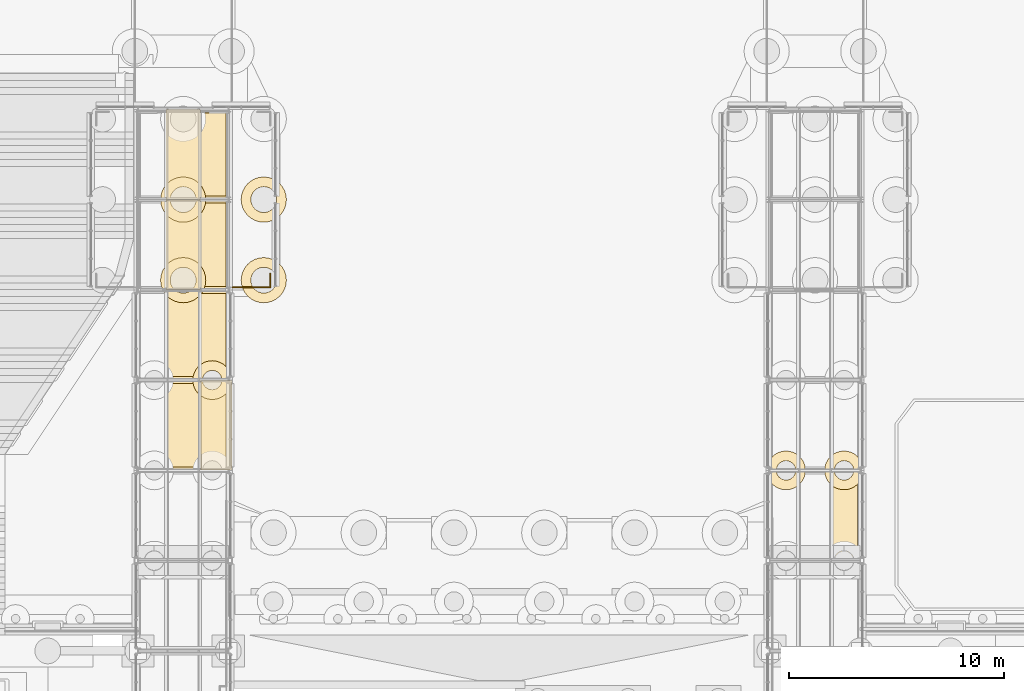
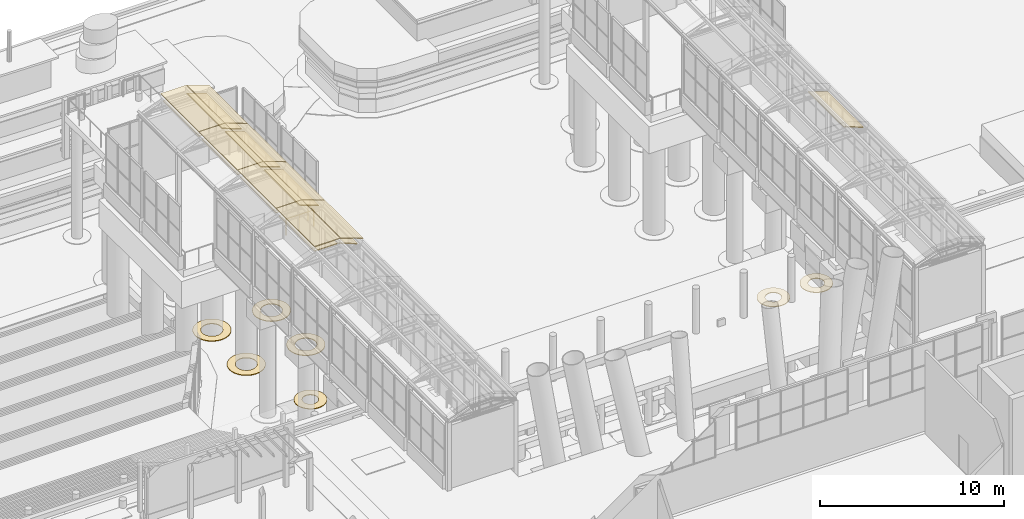
# One storey, part 188 of 222: 24 coverings, 2 railings.
"""IFC4 building model written with IfcOpenShell, lengths in metres."""

from ifc_helpers import new_model, si_unit, direction, frame, origin, origin_2d, place, context, subcontext, project, spatial, polyline, circle, outline, extrude, material, layer, layer_set, type_object, element, save


model = new_model("IFC4")

# Units and contexts
model_context = context("Model", 3, precision=1e-05, world=origin(), true_north=direction((0.0, 1.0)))
body_context = subcontext(model_context, "Body", "Model", "MODEL_VIEW")
ifc_project = project(units=[si_unit("LENGTHUNIT", "METRE"), si_unit("AREAUNIT", "SQUARE_METRE"), si_unit("VOLUMEUNIT", "CUBIC_METRE"), si_unit("PLANEANGLEUNIT", "RADIAN"), si_unit("MASSUNIT", "GRAM", prefix="KILO")], contexts=[model_context])

# Site, building, storey
site_placement = place(None, origin())
site = spatial("IfcSite", under=ifc_project, at=site_placement, CompositionType="ELEMENT")
building_placement = place(site_placement, origin())
building = spatial("IfcBuilding", under=site, at=building_placement, Name="Sava Quay Ferry Terminal", CompositionType="ELEMENT")
storey_placement = place(building_placement, origin())
storey = spatial("IfcBuildingStorey", under=building, at=storey_placement, Name="L00", CompositionType="ELEMENT", Elevation=0.0)

# Railings
ifc_material_1 = material(Name="Steel S355", Category="steel")
railing_type = type_object("IfcRailingType", Name="Edge guard 1100", PredefinedType="GUARDRAIL", material=ifc_material_1)
railing_1_placement = place(storey_placement, frame((50.60009765625, 134.52001953125, 0.0)))
element("IfcRailing", 1, at=railing_1_placement, inside=storey, type_object=railing_type, Name="Berth head south guard east", PredefinedType="GUARDRAIL", context=body_context, shape_type="SweptSolid", body=[
    extrude(circle(Radius=0.02392578125, at=origin_2d()), frame((0.0, 0.0, 1.076171875), z_axis=(1.0, 0.0, 0.0), x_axis=(0.0, 1.0, 0.0)), (0.0, 0.0, 1.0), 1.75),
    extrude(circle(Radius=0.02099609375, at=origin_2d()), origin(), (0.0, 0.0, 1.0), 1.052001953125),
    extrude(circle(Radius=0.02099609375, at=origin_2d()), frame((0.875, 0.0, 0.0)), (0.0, 0.0, 1.0), 1.052001953125),
    extrude(circle(Radius=0.02099609375, at=origin_2d()), frame((1.75, 0.0, 0.0)), (0.0, 0.0, 1.0), 1.052001953125),
])
railing_2_placement = place(storey_placement, frame((52.35009765625, 134.52001953125, 0.0)))
element("IfcRailing", 2, at=railing_2_placement, inside=storey, type_object=railing_type, Name="Berth head south-east corner guard", PredefinedType="GUARDRAIL", context=body_context, shape_type="SweptSolid", body=[
    extrude(circle(Radius=0.02392578125, at=origin_2d()), frame((0.0, 0.0, 1.076171875), z_axis=(0.0, 1.0, 0.0), x_axis=(-1.0, 0.0, 0.0)), (0.0, 0.0, 1.0), 0.6298828125),
    extrude(circle(Radius=0.02099609375, at=origin_2d()), origin(), (0.0, 0.0, 1.0), 1.052001953125),
    extrude(circle(Radius=0.02099609375, at=origin_2d()), frame((0.0, 0.6298828125, 0.0)), (0.0, 0.0, 1.0), 1.052001953125),
])

# Coverings
ifc_material_2 = material(Name="Glulam GL28h", Category="wood")
ifc_layer_1 = layer(ifc_material_2, 0.06005859375)
ifc_layer_set_1 = layer_set([ifc_layer_1], Name="Glulam GL28h")
covering_type_1 = type_object("IfcCoveringType", Name="Glulam soffit lining 60", PredefinedType="CEILING", material=ifc_layer_set_1)
covering_1_placement = place(storey_placement, frame((47.5634765625, 126.159912109375, 5.095703125), z_axis=(0.0, 0.0, 1.0), x_axis=(1.0, 0.0, 0.0)))
element("IfcCovering", 3, at=covering_1_placement, inside=storey, type_object=covering_type_1, Name="Boarding gallery B1 timber soffit lining bay 5 facet 2", PredefinedType="CEILING", context=body_context, shape_type="SweptSolid", body=[
    extrude(outline(polyline([(0.0, 0.0), (1.472900390625, 0.0), (1.472900390625, 3.880126953125), (0.0, 3.880126953125), (0.0, 0.0)])), origin(), (0.0, 0.0, -1.0), 0.06005859375),
])
covering_2_placement = place(storey_placement, frame((49.055908203125, 126.159912109375, 5.09228515625), z_axis=(0.342028329159, 0.0, 0.939689641346), x_axis=(0.939689641346, 0.0, -0.342028329159)))
element("IfcCovering", 4, at=covering_2_placement, inside=storey, type_object=covering_type_1, Name="Boarding gallery B1 timber soffit lining bay 5 facet 3", PredefinedType="CEILING", context=body_context, shape_type="SweptSolid", body=[
    extrude(outline(polyline([(0.0, 0.0), (1.3055444975084805, 0.0), (1.3055444975084805, 3.880126953125001), (0.0, 3.880126953125001), (0.0, 0.0)])), origin(), (0.0, 0.0, -1.0), 0.06005859375),
])
covering_3_placement = place(storey_placement, frame((47.5634765625, 130.360107421875, 5.095703125), z_axis=(0.0, 0.0, 1.0), x_axis=(1.0, 0.0, 0.0)))
element("IfcCovering", 5, at=covering_3_placement, inside=storey, type_object=covering_type_1, Name="Boarding gallery B1 timber soffit lining bay 6 facet 2", PredefinedType="CEILING", context=body_context, shape_type="SweptSolid", body=[
    extrude(outline(polyline([(0.0, 0.0), (1.472900390625, 0.0), (1.472900390625, 3.8798828125), (0.0, 3.8798828125), (0.0, 0.0)])), origin(), (0.0, 0.0, -1.0), 0.06005859375),
])
covering_4_placement = place(storey_placement, frame((49.055908203125, 130.360107421875, 5.09228515625), z_axis=(0.342028329159, 0.0, 0.939689641346), x_axis=(0.939689641346, 0.0, -0.342028329159)))
element("IfcCovering", 6, at=covering_4_placement, inside=storey, type_object=covering_type_1, Name="Boarding gallery B1 timber soffit lining bay 6 facet 3", PredefinedType="CEILING", context=body_context, shape_type="SweptSolid", body=[
    extrude(outline(polyline([(0.0, 0.0), (1.3055444975084805, 0.0), (1.3055444975084805, 3.8798828125), (0.0, 3.8798828125), (0.0, 0.0)])), origin(), (0.0, 0.0, -1.0), 0.06005859375),
])
covering_5_placement = place(storey_placement, frame((47.5634765625, 134.56005859375, 5.095703125), z_axis=(0.0, 0.0, 1.0), x_axis=(1.0, 0.0, 0.0)))
element("IfcCovering", 7, at=covering_5_placement, inside=storey, type_object=covering_type_1, Name="Boarding gallery B1 timber soffit lining bay 7 facet 2", PredefinedType="CEILING", context=body_context, shape_type="SweptSolid", body=[
    extrude(outline(polyline([(0.0, 0.0), (1.472900390625, 0.0), (1.472900390625, 3.8798828125), (0.0, 3.8798828125), (0.0, 0.0)])), origin(), (0.0, 0.0, -1.0), 0.06005859375),
])
covering_6_placement = place(storey_placement, frame((49.055908203125, 134.56005859375, 5.09228515625), z_axis=(0.342028329159, 0.0, 0.939689641346), x_axis=(0.939689641346, 0.0, -0.342028329159)))
element("IfcCovering", 8, at=covering_6_placement, inside=storey, type_object=covering_type_1, Name="Boarding gallery B1 timber soffit lining bay 7 facet 3", PredefinedType="CEILING", context=body_context, shape_type="SweptSolid", body=[
    extrude(outline(polyline([(0.0, 0.0), (1.3055444975084805, 0.0), (1.3055444975084805, 3.8798828125), (0.0, 3.8798828125), (0.0, 0.0)])), origin(), (0.0, 0.0, -1.0), 0.06005859375),
])
covering_7_placement = place(storey_placement, frame((47.5634765625, 138.760009765625, 5.095703125), z_axis=(0.0, 0.0, 1.0), x_axis=(1.0, 0.0, 0.0)))
element("IfcCovering", 9, at=covering_7_placement, inside=storey, type_object=covering_type_1, Name="Boarding gallery B1 timber soffit lining bay 8 facet 2", PredefinedType="CEILING", context=body_context, shape_type="SweptSolid", body=[
    extrude(outline(polyline([(0.0, 0.0), (1.472900390625, 0.0), (1.472900390625, 3.8798828125), (0.0, 3.8798828125), (0.0, 0.0)])), origin(), (0.0, 0.0, -1.0), 0.06005859375),
])
covering_8_placement = place(storey_placement, frame((49.055908203125, 138.760009765625, 5.09228515625), z_axis=(0.342028329159, 0.0, 0.939689641346), x_axis=(0.939689641346, 0.0, -0.342028329159)))
element("IfcCovering", 10, at=covering_8_placement, inside=storey, type_object=covering_type_1, Name="Boarding gallery B1 timber soffit lining bay 8 facet 3", PredefinedType="CEILING", context=body_context, shape_type="SweptSolid", body=[
    extrude(outline(polyline([(0.0, 0.0), (1.3055444975084805, 0.0), (1.3055444975084805, 3.8798828125), (0.0, 3.8798828125), (0.0, 0.0)])), origin(), (0.0, 0.0, -1.0), 0.06005859375),
])
covering_9_placement = place(storey_placement, frame((78.455810546875, 121.9599609375, 5.09228515625), z_axis=(0.341968236193, 0.0, 0.939711511814), x_axis=(0.939711511814, 0.0, -0.341968236193)))
element("IfcCovering", 11, at=covering_9_placement, inside=storey, type_object=covering_type_1, Name="Boarding gallery B2 timber soffit lining bay 4 facet 3", PredefinedType="CEILING", context=body_context, shape_type="SweptSolid", body=[
    extrude(outline(polyline([(0.0, 0.0), (1.305773916594794, 0.0), (1.305773916594794, 3.880126953125), (0.0, 3.880126953125), (0.0, 0.0)])), origin(), (0.0, 0.0, -1.0), 0.06005859375),
])
ifc_material_3 = material(Name="Water")
ifc_layer_2 = layer(ifc_material_3, 0.0400390625)
ifc_layer_set_2 = layer_set([ifc_layer_2], Name="Water")
covering_type_2 = type_object("IfcCoveringType", Name="River foam collar", PredefinedType="CLADDING", material=ifc_layer_set_2)
covering_10_placement = place(storey_placement, frame((0.0, 0.0, -8.0)))
element("IfcCovering", 12, at=covering_10_placement, inside=storey, type_object=covering_type_2, Name="River foam collar", PredefinedType="CLADDING", context=body_context, shape_type="SweptSolid", body=[
    extrude(outline(polyline([(48.81591796875, 129.85498046875), (48.89990234375, 129.698974609375), (49.011962890625, 129.56201171875), (49.14892578125, 129.449951171875), (49.304931640625, 129.365966796875), (49.47412109375, 129.31494140625), (49.64990234375, 129.298095703125), (49.825927734375, 129.31494140625), (49.9951171875, 129.365966796875), (50.15087890625, 129.449951171875), (50.2880859375, 129.56201171875), (50.39990234375, 129.698974609375), (50.48388671875, 129.85498046875), (50.534912109375, 130.02392578125), (50.552001953125, 130.199951171875), (50.534912109375, 130.3759765625), (50.48388671875, 130.544921875), (50.39990234375, 130.700927734375), (50.2880859375, 130.837890625), (50.15087890625, 130.949951171875), (49.9951171875, 131.033935546875), (49.825927734375, 131.0849609375), (49.64990234375, 131.10205078125), (49.47412109375, 131.0849609375), (49.304931640625, 131.033935546875), (49.14892578125, 130.949951171875), (49.011962890625, 130.837890625), (48.89990234375, 130.700927734375), (48.81591796875, 130.544921875), (48.764892578125, 130.3759765625), (48.748046875, 130.199951171875), (48.764892578125, 130.02392578125), (48.81591796875, 129.85498046875)]), holes=[polyline([(49.23388671875, 130.3720703125), (49.27587890625, 130.449951171875), (49.33203125, 130.51806640625), (49.39990234375, 130.573974609375), (49.47802734375, 130.615966796875), (49.56201171875, 130.64111328125), (49.64990234375, 130.64990234375), (49.738037109375, 130.64111328125), (49.822021484375, 130.615966796875), (49.89990234375, 130.573974609375), (49.968017578125, 130.51806640625), (50.02392578125, 130.449951171875), (50.06591796875, 130.3720703125), (50.091064453125, 130.2880859375), (50.10009765625, 130.199951171875), (50.091064453125, 130.112060546875), (50.06591796875, 130.028076171875), (50.02392578125, 129.949951171875), (49.968017578125, 129.882080078125), (49.89990234375, 129.825927734375), (49.822021484375, 129.783935546875), (49.738037109375, 129.759033203125), (49.64990234375, 129.75), (49.56201171875, 129.759033203125), (49.47802734375, 129.783935546875), (49.39990234375, 129.825927734375), (49.33203125, 129.882080078125), (49.27587890625, 129.949951171875), (49.23388671875, 130.028076171875), (49.208984375, 130.112060546875), (49.199951171875, 130.199951171875), (49.208984375, 130.2880859375), (49.23388671875, 130.3720703125)])]), origin(), (0.0, 0.0, 1.0), 0.0400390625),
])
covering_11_placement = place(storey_placement, frame((0.0, 0.0, -8.0)))
element("IfcCovering", 13, at=covering_11_placement, inside=storey, type_object=covering_type_2, Name="River foam collar", PredefinedType="CLADDING", context=body_context, shape_type="SweptSolid", body=[
    extrude(outline(polyline([(75.465087890625, 126.176025390625), (75.447998046875, 126.0), (75.465087890625, 125.823974609375), (75.51611328125, 125.655029296875), (75.60009765625, 125.4990234375), (75.7119140625, 125.362060546875), (75.84912109375, 125.25), (76.0048828125, 125.166015625), (76.174072265625, 125.114990234375), (76.35009765625, 125.097900390625), (76.52587890625, 125.114990234375), (76.695068359375, 125.166015625), (76.85107421875, 125.25), (76.988037109375, 125.362060546875), (77.10009765625, 125.4990234375), (77.18408203125, 125.655029296875), (77.235107421875, 125.823974609375), (77.251953125, 126.0), (77.235107421875, 126.176025390625), (77.18408203125, 126.344970703125), (77.10009765625, 126.5009765625), (76.988037109375, 126.637939453125), (76.85107421875, 126.75), (76.695068359375, 126.833984375), (76.52587890625, 126.885009765625), (76.35009765625, 126.902099609375), (76.174072265625, 126.885009765625), (76.0048828125, 126.833984375), (75.84912109375, 126.75), (75.7119140625, 126.637939453125), (75.60009765625, 126.5009765625), (75.51611328125, 126.344970703125), (75.465087890625, 126.176025390625)]), holes=[polyline([(75.908935546875, 125.912109375), (75.89990234375, 126.0), (75.908935546875, 126.087890625), (75.93408203125, 126.172119140625), (75.97607421875, 126.25), (76.031982421875, 126.318115234375), (76.10009765625, 126.3740234375), (76.177978515625, 126.416015625), (76.261962890625, 126.44091796875), (76.35009765625, 126.449951171875), (76.43798828125, 126.44091796875), (76.52197265625, 126.416015625), (76.60009765625, 126.3740234375), (76.66796875, 126.318115234375), (76.72412109375, 126.25), (76.76611328125, 126.172119140625), (76.791015625, 126.087890625), (76.800048828125, 126.0), (76.791015625, 125.912109375), (76.76611328125, 125.827880859375), (76.72412109375, 125.75), (76.66796875, 125.681884765625), (76.60009765625, 125.6259765625), (76.52197265625, 125.583984375), (76.43798828125, 125.55908203125), (76.35009765625, 125.550048828125), (76.261962890625, 125.55908203125), (76.177978515625, 125.583984375), (76.10009765625, 125.6259765625), (76.031982421875, 125.681884765625), (75.97607421875, 125.75), (75.93408203125, 125.827880859375), (75.908935546875, 125.912109375)])]), origin(), (0.0, 0.0, 1.0), 0.0400390625),
])
covering_12_placement = place(storey_placement, frame((0.0, 0.0, -8.0)))
element("IfcCovering", 14, at=covering_12_placement, inside=storey, type_object=covering_type_2, Name="River foam collar", PredefinedType="CLADDING", context=body_context, shape_type="SweptSolid", body=[
    extrude(outline(polyline([(78.216064453125, 126.344970703125), (78.1650390625, 126.176025390625), (78.14794921875, 126.0), (78.1650390625, 125.823974609375), (78.216064453125, 125.655029296875), (78.300048828125, 125.4990234375), (78.412109375, 125.362060546875), (78.549072265625, 125.25), (78.705078125, 125.166015625), (78.8740234375, 125.114990234375), (79.050048828125, 125.097900390625), (79.22607421875, 125.114990234375), (79.39501953125, 125.166015625), (79.551025390625, 125.25), (79.68798828125, 125.362060546875), (79.800048828125, 125.4990234375), (79.884033203125, 125.655029296875), (79.93505859375, 125.823974609375), (79.951904296875, 126.0), (79.93505859375, 126.176025390625), (79.884033203125, 126.344970703125), (79.800048828125, 126.5009765625), (79.68798828125, 126.637939453125), (79.551025390625, 126.75), (79.39501953125, 126.833984375), (79.22607421875, 126.885009765625), (79.050048828125, 126.902099609375), (78.8740234375, 126.885009765625), (78.705078125, 126.833984375), (78.549072265625, 126.75), (78.412109375, 126.637939453125), (78.300048828125, 126.5009765625), (78.216064453125, 126.344970703125)]), holes=[polyline([(78.634033203125, 125.827880859375), (78.60888671875, 125.912109375), (78.60009765625, 126.0), (78.60888671875, 126.087890625), (78.634033203125, 126.172119140625), (78.676025390625, 126.25), (78.73193359375, 126.318115234375), (78.800048828125, 126.3740234375), (78.8779296875, 126.416015625), (78.9619140625, 126.44091796875), (79.050048828125, 126.449951171875), (79.137939453125, 126.44091796875), (79.221923828125, 126.416015625), (79.300048828125, 126.3740234375), (79.367919921875, 126.318115234375), (79.424072265625, 126.25), (79.466064453125, 126.172119140625), (79.490966796875, 126.087890625), (79.5, 126.0), (79.490966796875, 125.912109375), (79.466064453125, 125.827880859375), (79.424072265625, 125.75), (79.367919921875, 125.681884765625), (79.300048828125, 125.6259765625), (79.221923828125, 125.583984375), (79.137939453125, 125.55908203125), (79.050048828125, 125.550048828125), (78.9619140625, 125.55908203125), (78.8779296875, 125.583984375), (78.800048828125, 125.6259765625), (78.73193359375, 125.681884765625), (78.676025390625, 125.75), (78.634033203125, 125.827880859375)])]), origin(), (0.0, 0.0, 1.0), 0.0400390625),
])
covering_13_placement = place(storey_placement, frame((0.0, 0.0, -8.0)))
element("IfcCovering", 15, at=covering_13_placement, inside=storey, type_object=covering_type_2, Name="River foam collar", PredefinedType="CLADDING", context=body_context, shape_type="SweptSolid", body=[
    extrude(outline(polyline([(47.89697265625, 135.822021484375), (47.715087890625, 135.72509765625), (47.555908203125, 135.593994140625), (47.425048828125, 135.43505859375), (47.327880859375, 135.2529296875), (47.26806640625, 135.054931640625), (47.248046875, 134.85009765625), (47.26806640625, 134.64501953125), (47.327880859375, 134.447021484375), (47.425048828125, 134.264892578125), (47.555908203125, 134.10595703125), (47.715087890625, 133.97509765625), (47.89697265625, 133.8779296875), (48.094970703125, 133.818115234375), (48.300048828125, 133.798095703125), (48.5048828125, 133.818115234375), (48.702880859375, 133.8779296875), (48.885009765625, 133.97509765625), (49.0439453125, 134.10595703125), (49.175048828125, 134.264892578125), (49.27197265625, 134.447021484375), (49.33203125, 134.64501953125), (49.35205078125, 134.85009765625), (49.33203125, 135.054931640625), (49.27197265625, 135.2529296875), (49.175048828125, 135.43505859375), (49.0439453125, 135.593994140625), (48.885009765625, 135.72509765625), (48.702880859375, 135.822021484375), (48.5048828125, 135.882080078125), (48.300048828125, 135.902099609375), (48.094970703125, 135.882080078125), (47.89697265625, 135.822021484375)]), holes=[polyline([(48.070068359375, 134.2958984375), (47.967041015625, 134.35107421875), (47.8759765625, 134.426025390625), (47.801025390625, 134.51708984375), (47.74609375, 134.6201171875), (47.7119140625, 134.73291015625), (47.699951171875, 134.85009765625), (47.7119140625, 134.967041015625), (47.74609375, 135.080078125), (47.801025390625, 135.18310546875), (47.8759765625, 135.27392578125), (47.967041015625, 135.34912109375), (48.070068359375, 135.404052734375), (48.18310546875, 135.43798828125), (48.300048828125, 135.449951171875), (48.4169921875, 135.43798828125), (48.530029296875, 135.404052734375), (48.633056640625, 135.34912109375), (48.72412109375, 135.27392578125), (48.799072265625, 135.18310546875), (48.85400390625, 135.080078125), (48.887939453125, 134.967041015625), (48.89990234375, 134.85009765625), (48.887939453125, 134.73291015625), (48.85400390625, 134.6201171875), (48.799072265625, 134.51708984375), (48.72412109375, 134.426025390625), (48.633056640625, 134.35107421875), (48.530029296875, 134.2958984375), (48.4169921875, 134.261962890625), (48.300048828125, 134.25), (48.18310546875, 134.261962890625), (48.070068359375, 134.2958984375)])]), origin(), (0.0, 0.0, 1.0), 0.0400390625),
])
covering_14_placement = place(storey_placement, frame((0.0, 0.0, -8.0)))
element("IfcCovering", 16, at=covering_14_placement, inside=storey, type_object=covering_type_2, Name="River foam collar", PredefinedType="CLADDING", context=body_context, shape_type="SweptSolid", body=[
    extrude(outline(polyline([(48.094970703125, 139.632080078125), (47.89697265625, 139.572021484375), (47.715087890625, 139.47509765625), (47.555908203125, 139.343994140625), (47.425048828125, 139.18505859375), (47.327880859375, 139.0029296875), (47.26806640625, 138.804931640625), (47.248046875, 138.60009765625), (47.26806640625, 138.39501953125), (47.327880859375, 138.197021484375), (47.425048828125, 138.014892578125), (47.555908203125, 137.85595703125), (47.715087890625, 137.72509765625), (47.89697265625, 137.6279296875), (48.094970703125, 137.568115234375), (48.300048828125, 137.548095703125), (48.5048828125, 137.568115234375), (48.702880859375, 137.6279296875), (48.885009765625, 137.72509765625), (49.0439453125, 137.85595703125), (49.175048828125, 138.014892578125), (49.27197265625, 138.197021484375), (49.33203125, 138.39501953125), (49.35205078125, 138.60009765625), (49.33203125, 138.804931640625), (49.27197265625, 139.0029296875), (49.175048828125, 139.18505859375), (49.0439453125, 139.343994140625), (48.885009765625, 139.47509765625), (48.702880859375, 139.572021484375), (48.5048828125, 139.632080078125), (48.300048828125, 139.652099609375), (48.094970703125, 139.632080078125)]), holes=[polyline([(48.18310546875, 138.011962890625), (48.070068359375, 138.0458984375), (47.967041015625, 138.10107421875), (47.8759765625, 138.176025390625), (47.801025390625, 138.26708984375), (47.74609375, 138.3701171875), (47.7119140625, 138.48291015625), (47.699951171875, 138.60009765625), (47.7119140625, 138.717041015625), (47.74609375, 138.830078125), (47.801025390625, 138.93310546875), (47.8759765625, 139.02392578125), (47.967041015625, 139.09912109375), (48.070068359375, 139.154052734375), (48.18310546875, 139.18798828125), (48.300048828125, 139.199951171875), (48.4169921875, 139.18798828125), (48.530029296875, 139.154052734375), (48.633056640625, 139.09912109375), (48.72412109375, 139.02392578125), (48.799072265625, 138.93310546875), (48.85400390625, 138.830078125), (48.887939453125, 138.717041015625), (48.89990234375, 138.60009765625), (48.887939453125, 138.48291015625), (48.85400390625, 138.3701171875), (48.799072265625, 138.26708984375), (48.72412109375, 138.176025390625), (48.633056640625, 138.10107421875), (48.530029296875, 138.0458984375), (48.4169921875, 138.011962890625), (48.300048828125, 138.0), (48.18310546875, 138.011962890625)])]), origin(), (0.0, 0.0, 1.0), 0.0400390625),
])
covering_15_placement = place(storey_placement, frame((0.0, 0.0, -8.0)))
element("IfcCovering", 17, at=covering_15_placement, inside=storey, type_object=covering_type_2, Name="River foam collar", PredefinedType="CLADDING", context=body_context, shape_type="SweptSolid", body=[
    extrude(outline(polyline([(52.2548828125, 135.882080078125), (52.050048828125, 135.902099609375), (51.844970703125, 135.882080078125), (51.64697265625, 135.822021484375), (51.465087890625, 135.72509765625), (51.305908203125, 135.593994140625), (51.175048828125, 135.43505859375), (51.077880859375, 135.2529296875), (51.01806640625, 135.054931640625), (50.998046875, 134.85009765625), (51.01806640625, 134.64501953125), (51.077880859375, 134.447021484375), (51.175048828125, 134.264892578125), (51.305908203125, 134.10595703125), (51.465087890625, 133.97509765625), (51.64697265625, 133.8779296875), (51.844970703125, 133.818115234375), (52.050048828125, 133.798095703125), (52.2548828125, 133.818115234375), (52.452880859375, 133.8779296875), (52.635009765625, 133.97509765625), (52.7939453125, 134.10595703125), (52.925048828125, 134.264892578125), (53.02197265625, 134.447021484375), (53.08203125, 134.64501953125), (53.10205078125, 134.85009765625), (53.08203125, 135.054931640625), (53.02197265625, 135.2529296875), (52.925048828125, 135.43505859375), (52.7939453125, 135.593994140625), (52.635009765625, 135.72509765625), (52.452880859375, 135.822021484375), (52.2548828125, 135.882080078125)]), holes=[polyline([(52.1669921875, 134.261962890625), (52.050048828125, 134.25), (51.93310546875, 134.261962890625), (51.820068359375, 134.2958984375), (51.717041015625, 134.35107421875), (51.6259765625, 134.426025390625), (51.551025390625, 134.51708984375), (51.49609375, 134.6201171875), (51.4619140625, 134.73291015625), (51.449951171875, 134.85009765625), (51.4619140625, 134.967041015625), (51.49609375, 135.080078125), (51.551025390625, 135.18310546875), (51.6259765625, 135.27392578125), (51.717041015625, 135.34912109375), (51.820068359375, 135.404052734375), (51.93310546875, 135.43798828125), (52.050048828125, 135.449951171875), (52.1669921875, 135.43798828125), (52.280029296875, 135.404052734375), (52.383056640625, 135.34912109375), (52.47412109375, 135.27392578125), (52.549072265625, 135.18310546875), (52.60400390625, 135.080078125), (52.637939453125, 134.967041015625), (52.64990234375, 134.85009765625), (52.637939453125, 134.73291015625), (52.60400390625, 134.6201171875), (52.549072265625, 134.51708984375), (52.47412109375, 134.426025390625), (52.383056640625, 134.35107421875), (52.280029296875, 134.2958984375), (52.1669921875, 134.261962890625)])]), origin(), (0.0, 0.0, 1.0), 0.0400390625),
])
covering_16_placement = place(storey_placement, frame((0.0, 0.0, -8.0)))
element("IfcCovering", 18, at=covering_16_placement, inside=storey, type_object=covering_type_2, Name="River foam collar", PredefinedType="CLADDING", context=body_context, shape_type="SweptSolid", body=[
    extrude(outline(polyline([(52.452880859375, 139.572021484375), (52.2548828125, 139.632080078125), (52.050048828125, 139.652099609375), (51.844970703125, 139.632080078125), (51.64697265625, 139.572021484375), (51.465087890625, 139.47509765625), (51.305908203125, 139.343994140625), (51.175048828125, 139.18505859375), (51.077880859375, 139.0029296875), (51.01806640625, 138.804931640625), (50.998046875, 138.60009765625), (51.01806640625, 138.39501953125), (51.077880859375, 138.197021484375), (51.175048828125, 138.014892578125), (51.305908203125, 137.85595703125), (51.465087890625, 137.72509765625), (51.64697265625, 137.6279296875), (51.844970703125, 137.568115234375), (52.050048828125, 137.548095703125), (52.2548828125, 137.568115234375), (52.452880859375, 137.6279296875), (52.635009765625, 137.72509765625), (52.7939453125, 137.85595703125), (52.925048828125, 138.014892578125), (53.02197265625, 138.197021484375), (53.08203125, 138.39501953125), (53.10205078125, 138.60009765625), (53.08203125, 138.804931640625), (53.02197265625, 139.0029296875), (52.925048828125, 139.18505859375), (52.7939453125, 139.343994140625), (52.635009765625, 139.47509765625), (52.452880859375, 139.572021484375)]), holes=[polyline([(52.280029296875, 138.0458984375), (52.1669921875, 138.011962890625), (52.050048828125, 138.0), (51.93310546875, 138.011962890625), (51.820068359375, 138.0458984375), (51.717041015625, 138.10107421875), (51.6259765625, 138.176025390625), (51.551025390625, 138.26708984375), (51.49609375, 138.3701171875), (51.4619140625, 138.48291015625), (51.449951171875, 138.60009765625), (51.4619140625, 138.717041015625), (51.49609375, 138.830078125), (51.551025390625, 138.93310546875), (51.6259765625, 139.02392578125), (51.717041015625, 139.09912109375), (51.820068359375, 139.154052734375), (51.93310546875, 139.18798828125), (52.050048828125, 139.199951171875), (52.1669921875, 139.18798828125), (52.280029296875, 139.154052734375), (52.383056640625, 139.09912109375), (52.47412109375, 139.02392578125), (52.549072265625, 138.93310546875), (52.60400390625, 138.830078125), (52.637939453125, 138.717041015625), (52.64990234375, 138.60009765625), (52.637939453125, 138.48291015625), (52.60400390625, 138.3701171875), (52.549072265625, 138.26708984375), (52.47412109375, 138.176025390625), (52.383056640625, 138.10107421875), (52.280029296875, 138.0458984375)])]), origin(), (0.0, 0.0, 1.0), 0.0400390625),
])
ifc_material_4 = material(Name="Zinc standing seam sheet")
ifc_layer_3 = layer(ifc_material_4, 0.0400390625)
ifc_layer_set_3 = layer_set([ifc_layer_3], Name="Zinc standing seam sheet")
covering_type_3 = type_object("IfcCoveringType", Name="Standing seam roofing 40", PredefinedType="ROOFING", material=ifc_layer_set_3)
covering_17_placement = place(storey_placement, frame((47.4912109375, 126.010009765625, 5.505859375), z_axis=(0.0, 0.0, 1.0), x_axis=(1.0, 0.0, 0.0)))
element("IfcCovering", 19, at=covering_17_placement, inside=storey, type_object=covering_type_3, Name="Boarding gallery B1 roofing bay 5 facet 2", PredefinedType="ROOFING", context=body_context, shape_type="SweptSolid", body=[
    extrude(outline(polyline([(0.0, 0.0), (1.617431640625, 0.0), (1.617431640625, 4.179931640625), (0.0, 4.179931640625), (0.0, 0.0)])), origin(), (0.0, 0.0, -1.0), 0.0400390625),
])
covering_18_placement = place(storey_placement, frame((49.128173828125, 126.010009765625, 5.50244140625), z_axis=(0.342089424704, 0.0, 0.939667401534), x_axis=(0.939667401534, 0.0, -0.342089424704)))
element("IfcCovering", 20, at=covering_18_placement, inside=storey, type_object=covering_type_3, Name="Boarding gallery B1 roofing bay 5 facet 3", PredefinedType="ROOFING", context=body_context, shape_type="SweptSolid", body=[
    extrude(outline(polyline([(0.0, 0.0), (1.5279778922638676, 0.0), (1.5279778922638676, 4.179931640625), (0.0, 4.179931640625), (0.0, 0.0)])), origin(), (0.0, 0.0, -1.0), 0.0400390625),
])
covering_19_placement = place(storey_placement, frame((47.4912109375, 130.2099609375, 5.505859375), z_axis=(0.0, 0.0, 1.0), x_axis=(1.0, 0.0, 0.0)))
element("IfcCovering", 21, at=covering_19_placement, inside=storey, type_object=covering_type_3, Name="Boarding gallery B1 roofing bay 6 facet 2", PredefinedType="ROOFING", context=body_context, shape_type="SweptSolid", body=[
    extrude(outline(polyline([(0.0, 0.0), (1.617431640625, 0.0), (1.617431640625, 4.179931640625), (0.0, 4.179931640625), (0.0, 0.0)])), origin(), (0.0, 0.0, -1.0), 0.0400390625),
])
covering_20_placement = place(storey_placement, frame((49.128173828125, 130.2099609375, 5.50244140625), z_axis=(0.342089424704, 0.0, 0.939667401534), x_axis=(0.939667401534, 0.0, -0.342089424704)))
element("IfcCovering", 22, at=covering_20_placement, inside=storey, type_object=covering_type_3, Name="Boarding gallery B1 roofing bay 6 facet 3", PredefinedType="ROOFING", context=body_context, shape_type="SweptSolid", body=[
    extrude(outline(polyline([(0.0, 0.0), (1.5279778922638676, 0.0), (1.5279778922638676, 4.179931640625), (0.0, 4.179931640625), (0.0, 0.0)])), origin(), (0.0, 0.0, -1.0), 0.0400390625),
])
covering_21_placement = place(storey_placement, frame((47.4912109375, 134.409912109375, 5.505859375), z_axis=(0.0, 0.0, 1.0), x_axis=(1.0, 0.0, 0.0)))
element("IfcCovering", 23, at=covering_21_placement, inside=storey, type_object=covering_type_3, Name="Boarding gallery B1 roofing bay 7 facet 2", PredefinedType="ROOFING", context=body_context, shape_type="SweptSolid", body=[
    extrude(outline(polyline([(0.0, 0.0), (1.617431640625, 0.0), (1.617431640625, 4.18017578125), (0.0, 4.18017578125), (0.0, 0.0)])), origin(), (0.0, 0.0, -1.0), 0.0400390625),
])
covering_22_placement = place(storey_placement, frame((49.128173828125, 134.409912109375, 5.50244140625), z_axis=(0.342089424704, 0.0, 0.939667401534), x_axis=(0.939667401534, 0.0, -0.342089424704)))
element("IfcCovering", 24, at=covering_22_placement, inside=storey, type_object=covering_type_3, Name="Boarding gallery B1 roofing bay 7 facet 3", PredefinedType="ROOFING", context=body_context, shape_type="SweptSolid", body=[
    extrude(outline(polyline([(0.0, 0.0), (1.5279778922638676, 0.0), (1.5279778922638676, 4.18017578125), (0.0, 4.18017578125), (0.0, 0.0)])), origin(), (0.0, 0.0, -1.0), 0.0400390625),
])
covering_23_placement = place(storey_placement, frame((47.4912109375, 138.610107421875, 5.505859375), z_axis=(0.0, 0.0, 1.0), x_axis=(1.0, 0.0, 0.0)))
element("IfcCovering", 25, at=covering_23_placement, inside=storey, type_object=covering_type_3, Name="Boarding gallery B1 roofing bay 8 facet 2", PredefinedType="ROOFING", context=body_context, shape_type="SweptSolid", body=[
    extrude(outline(polyline([(0.0, 0.0), (1.617431640625, 0.0), (1.617431640625, 4.179931640625), (0.0, 4.179931640625), (0.0, 0.0)])), origin(), (0.0, 0.0, -1.0), 0.0400390625),
])
covering_24_placement = place(storey_placement, frame((49.128173828125, 138.610107421875, 5.50244140625), z_axis=(0.342089424704, 0.0, 0.939667401534), x_axis=(0.939667401534, 0.0, -0.342089424704)))
element("IfcCovering", 26, at=covering_24_placement, inside=storey, type_object=covering_type_3, Name="Boarding gallery B1 roofing bay 8 facet 3", PredefinedType="ROOFING", context=body_context, shape_type="SweptSolid", body=[
    extrude(outline(polyline([(0.0, 0.0), (1.5279778922638676, 0.0), (1.5279778922638676, 4.179931640625), (0.0, 4.179931640625), (0.0, 0.0)])), origin(), (0.0, 0.0, -1.0), 0.0400390625),
])

save(model, "model.ifc")
